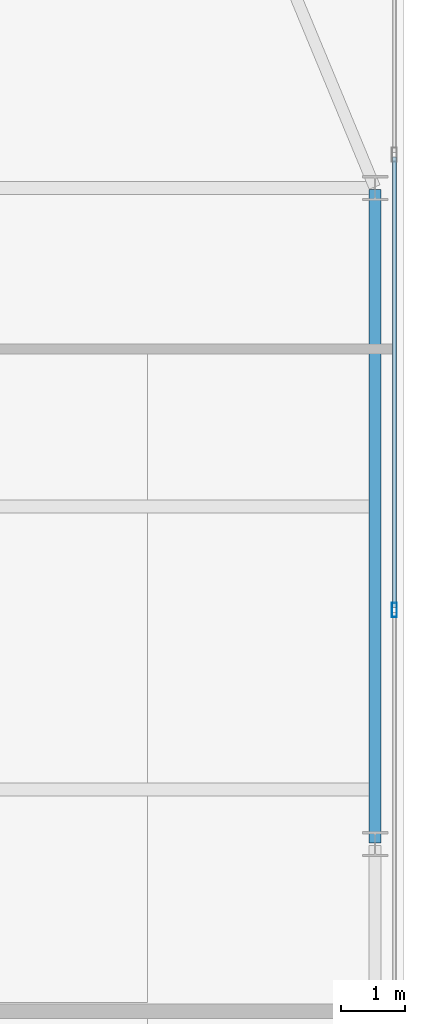
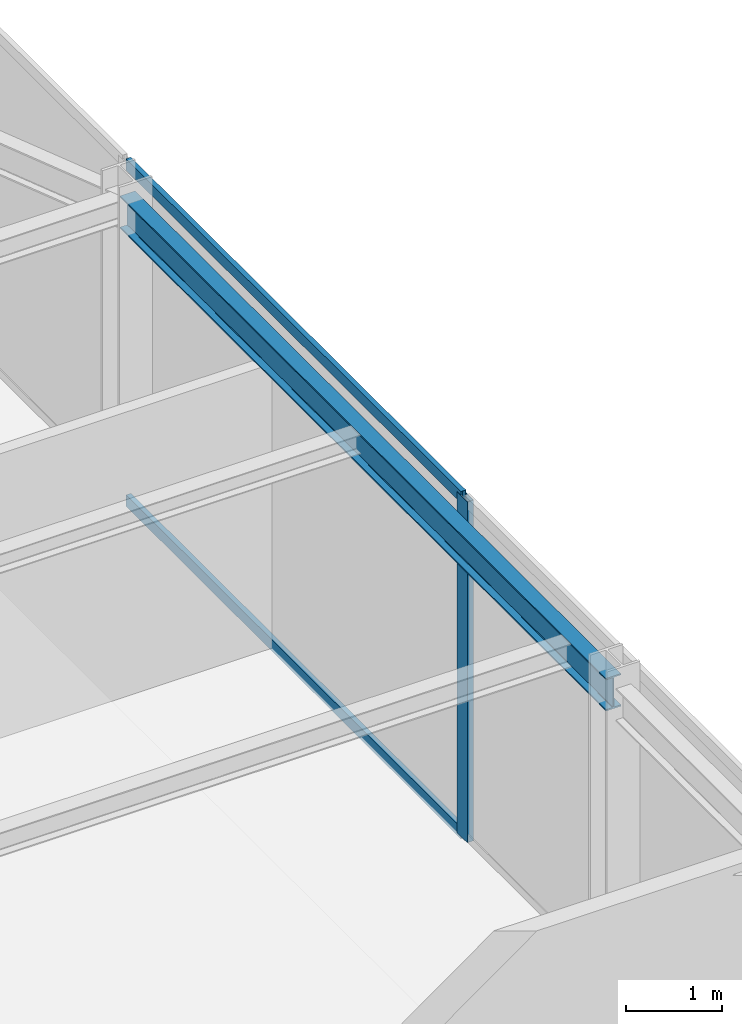
# One storey, part 25 of 32: 3 members, 1 beam, 1 element without a shape of its own.
"""IFC4 building model written with IfcOpenShell, lengths in metres."""

from ifc_helpers import new_model, si_unit, direction, frame, origin, origin_2d, place, context, subcontext, project, spatial, hollow_rectangle, i_section, extrude, source, transform, mapped, material, layer, layer_set, material_profile, profile_set, type_object, type_shapes, element, aggregate, save


model = new_model("IFC4")

# Units and contexts
model_context = context("Model", 3, precision=1e-05, world=origin(), true_north=direction((0.0, 1.0)))
body_context = subcontext(model_context, "Body", "Model", "MODEL_VIEW")
ifc_project = project(units=[si_unit("LENGTHUNIT", "METRE"), si_unit("AREAUNIT", "SQUARE_METRE"), si_unit("VOLUMEUNIT", "CUBIC_METRE"), si_unit("PLANEANGLEUNIT", "RADIAN"), si_unit("MASSUNIT", "GRAM", prefix="KILO")], contexts=[model_context])

# Site, building, storey
site_placement = place(None, origin())
site = spatial("IfcSite", under=ifc_project, at=site_placement, CompositionType="ELEMENT")
building_placement = place(site_placement, origin())
building = spatial("IfcBuilding", under=site, at=building_placement, Name="Varnel Quay Broadcast Tower", CompositionType="ELEMENT")
storey_placement = place(building_placement, frame((0.0, 0.0, 98.39990234375)))
storey = spatial("IfcBuildingStorey", under=building, at=storey_placement, Name="L23", CompositionType="ELEMENT", Elevation=98.39990234375)

# Beam
ifc_material_1 = material(Name="Structural Steel CSA G40.21 350W", Category="steel")
ifc_material_profile_1 = material_profile(ifc_material_1, i_section(OverallWidth=0.180908203125, OverallDepth=0.4169921875, WebThickness=0.010986328125, FlangeThickness=0.018310546875, FilletRadius=0.011962890625, at=origin_2d()), Name="W410X85")
ifc_profile_set_1 = profile_set([ifc_material_profile_1], Name="Structural Steel CSA G40.21 350W")
beam_type = type_object("IfcBeamType", Name="Beam_W410X85", PredefinedType="SPANDREL", material=ifc_profile_set_1)
shared_shape_1 = source(origin(), body_context, "Body", "SweptSolid", [
    extrude(i_section(OverallWidth=0.180908203125, OverallDepth=0.4169921875, WebThickness=0.010986328125, FlangeThickness=0.018310546875, FilletRadius=0.011962890625, at=origin_2d()), origin(), (0.0, 0.0, 1.0), 10.16015625),
])
type_shapes(beam_type, [shared_shape_1])
beam_placement = place(storey_placement, frame((63.050048828125, 25.419921875, 4.1416015625), z_axis=(0.0, 1.0, 0.0), x_axis=(-1.0, 0.0, 0.0)))
element("IfcBeam", 1, at=beam_placement, inside=storey, type_object=beam_type, Name="L23 East Spandrel TC-E2-TC-E3", PredefinedType="SPANDREL", context=body_context, shape_type="MappedRepresentation", body=[
    mapped(shared_shape_1, transform((0.0, 0.0, 0.0), x_axis=(1.0, 0.0, 0.0), y_axis=(0.0, 1.0, 0.0), z_axis=(0.0, 0.0, 1.0), scale=1.0)),
])

# Curtain wall, members
ifc_material_2 = material(Name="Anodised Bronze Aluminium 6063-T6", Category="aluminium")
ifc_layer = layer(ifc_material_2, 0.18994140625, Name="Anodised Bronze Aluminium 6063-T6")
ifc_layer_set = layer_set([ifc_layer], Name="Anodised Bronze Aluminium 6063-T6")
curtain_wall_type = type_object("IfcCurtainWallType", Name="CW_SkyObsHighVis", PredefinedType="NOTDEFINED", material=ifc_layer_set)
curtain_wall_placement = place(storey_placement, origin())
curtain_wall = element("IfcCurtainWall", 2, at=curtain_wall_placement, inside=storey, type_object=curtain_wall_type, Name="L23 East Unitised Curtain Wall", PredefinedType="NOTDEFINED")
ifc_material_profile_2 = material_profile(ifc_material_2, hollow_rectangle(XDim=0.074951171875, YDim=0.219970703125, WallThickness=0.00390625, at=origin_2d()), Name="ALU75X220X4")
ifc_profile_set_2 = profile_set([ifc_material_profile_2], Name="Anodised Bronze Aluminium 6063-T6")
member_type_1 = type_object("IfcMemberType", Name="Mull_CWS-05", PredefinedType="MULLION", material=ifc_profile_set_2)
shared_shape_2 = source(origin(), body_context, "Body", "SweptSolid", [
    extrude(hollow_rectangle(XDim=0.074951171875, YDim=0.219970703125, WallThickness=0.00390625, at=origin_2d()), origin(), (0.0, 0.0, 1.0), 4.35009765625),
])
type_shapes(member_type_1, [shared_shape_2])
member_1_placement = place(storey_placement, frame((63.35009765625, 29.0400390625, 0.0), z_axis=(0.0, 0.0, 1.0), x_axis=(-1.0, 0.0, 0.0)))
member_1 = element("IfcMember", 3, at=member_1_placement, type_object=member_type_1, Name="CWS-05 mullion 4", PredefinedType="MULLION", context=body_context, shape_type="MappedRepresentation", body=[
    mapped(shared_shape_2, transform((0.0, 0.0, 0.0), x_axis=(1.0, 0.0, 0.0), y_axis=(0.0, 1.0, 0.0), z_axis=(0.0, 0.0, 1.0), scale=1.0)),
])
ifc_material_profile_3 = material_profile(ifc_material_2, hollow_rectangle(XDim=0.06005859375, YDim=0.14501953125, WallThickness=0.00341796875, at=origin_2d()), Name="ALU60X145X3.5")
ifc_profile_set_3 = profile_set([ifc_material_profile_3], Name="Anodised Bronze Aluminium 6063-T6")
member_type_2 = type_object("IfcMemberType", Name="Tran_CWS-05", PredefinedType="USERDEFINED", material=ifc_profile_set_3)
shared_shape_3 = source(origin(), body_context, "Body", "SweptSolid", [
    extrude(hollow_rectangle(XDim=0.06005859375, YDim=0.14501953125, WallThickness=0.00341796875, at=origin_2d()), origin(), (0.0, 0.0, 1.0), 7.005126953125),
])
type_shapes(member_type_2, [shared_shape_3])
member_2_placement = place(storey_placement, frame((63.35009765625, 29.077392578125, 0.030029296875), z_axis=(0.0, 1.0, 0.0), x_axis=(-1.0, 0.0, 0.0)))
member_2 = element("IfcMember", 4, at=member_2_placement, type_object=member_type_2, Name="CWS-05 transom 4.1", ObjectType="TRANSOM", PredefinedType="USERDEFINED", context=body_context, shape_type="MappedRepresentation", body=[
    mapped(shared_shape_3, transform((0.0, 0.0, 0.0), x_axis=(1.0, 0.0, 0.0), y_axis=(0.0, 1.0, 0.0), z_axis=(0.0, 0.0, 1.0), scale=1.0)),
])
member_3_placement = place(storey_placement, frame((63.35009765625, 29.077392578125, 4.320068359375), z_axis=(0.0, 1.0, 0.0), x_axis=(-1.0, 0.0, 0.0)))
member_3 = element("IfcMember", 5, at=member_3_placement, type_object=member_type_2, Name="CWS-05 transom 4.2", ObjectType="TRANSOM", PredefinedType="USERDEFINED", context=body_context, shape_type="MappedRepresentation", body=[
    mapped(shared_shape_3, transform((0.0, 0.0, 0.0), x_axis=(1.0, 0.0, 0.0), y_axis=(0.0, 1.0, 0.0), z_axis=(0.0, 0.0, 1.0), scale=1.0)),
])
aggregate(curtain_wall, [member_1, member_2, member_3])

save(model, "model.ifc")
